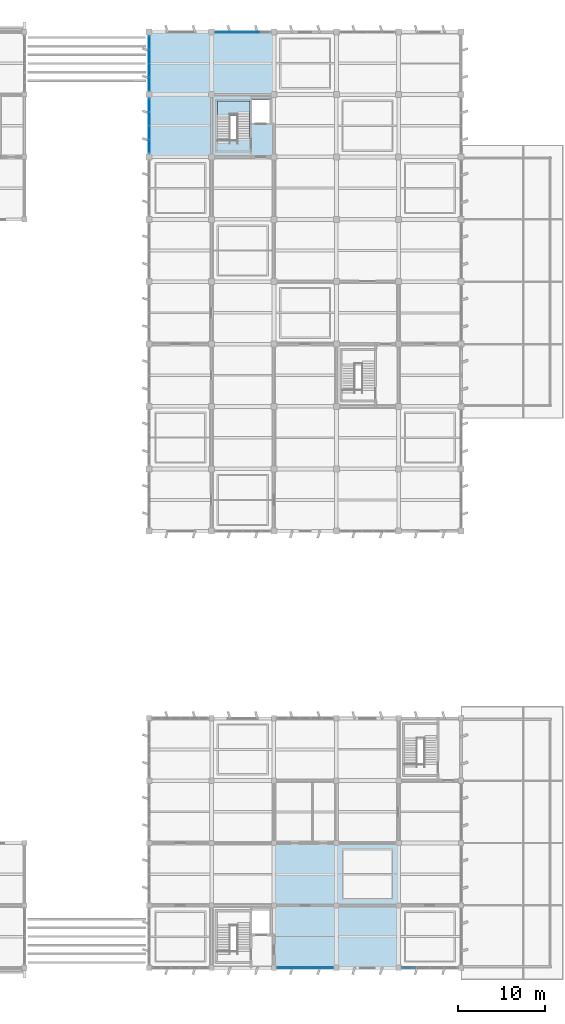
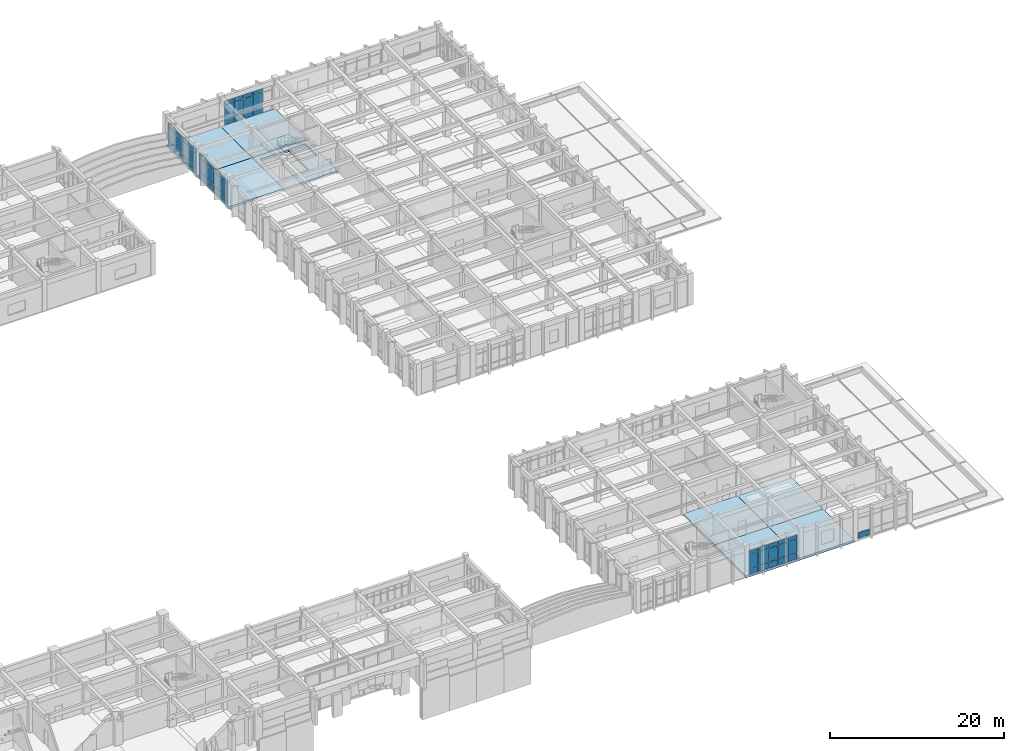
# One storey, part 49 of 81: 52 plates, 9 slabs, 6 elements without a shape of their own.
"""IFC4 building model written with IfcOpenShell, lengths in metres."""

from ifc_helpers import new_model, si_unit, direction, frame, origin, origin_2d, place, context, subcontext, project, spatial, polyline, rectangle, outline, extrude, material, layer, layer_set, type_object, element, aggregate, save


model = new_model("IFC4")

# Units and contexts
model_context = context("Model", 3, precision=1e-05, world=origin(), true_north=direction((0.0, 1.0)))
body_context = subcontext(model_context, "Body", "Model", "MODEL_VIEW")
ifc_project = project(units=[si_unit("LENGTHUNIT", "METRE"), si_unit("AREAUNIT", "SQUARE_METRE"), si_unit("VOLUMEUNIT", "CUBIC_METRE"), si_unit("PLANEANGLEUNIT", "RADIAN"), si_unit("MASSUNIT", "GRAM", prefix="KILO")], contexts=[model_context])

# Site, building, storey
site_placement = place(None, origin())
site = spatial("IfcSite", under=ifc_project, at=site_placement, CompositionType="ELEMENT")
building_placement = place(site_placement, origin())
building = spatial("IfcBuilding", under=site, at=building_placement, Name="Kavelor Marine Aquarium", CompositionType="ELEMENT")
storey_placement = place(building_placement, frame((0.0, 0.0, 4.679931640625)))
storey = spatial("IfcBuildingStorey", under=building, at=storey_placement, Name="L01", CompositionType="ELEMENT", Elevation=4.679931640625)

# Curtain wall, plates
ifc_material_1 = material(Name="Thermally Broken Aluminium and Low-E Glass", Category="aluminium")
ifc_layer_1 = layer(ifc_material_1, 0.251953125)
ifc_layer_set_1 = layer_set([ifc_layer_1], Name="CW-SYS14")
curtain_wall_type_1 = type_object("IfcCurtainWallType", Name="CW-SYS14", PredefinedType="USERDEFINED", material=ifc_layer_set_1)
curtain_wall_1_placement = place(storey_placement, origin())
curtain_wall_1 = element("IfcCurtainWall", 1, at=curtain_wall_1_placement, inside=storey, type_object=curtain_wall_type_1, Name="cw:y:L01:16_13", ObjectType="Curtain Wall", PredefinedType="USERDEFINED")
ifc_material_2 = material(Name="Solar-Control Double Low-E Glazing", Category="glass")
ifc_layer_2 = layer(ifc_material_2, 0.075927734375)
ifc_layer_set_2 = layer_set([ifc_layer_2], Name="CWP-26")
plate_type_1 = type_object("IfcPlateType", Name="CWP-26", PredefinedType="CURTAIN_PANEL", material=ifc_layer_set_2)
plate_1_placement = place(storey_placement, frame((118.39990234375, 102.387451171875, 0.06494140625), z_axis=(0.0, 0.0, 1.0), x_axis=(0.0, -1.0, 0.0)))
plate_1 = element("IfcPlate", 2, at=plate_1_placement, type_object=plate_type_1, Name="CW14 panel 1.1", PredefinedType="CURTAIN_PANEL", context=body_context, shape_type="SweptSolid", body=[
    extrude(rectangle(XDim=1.5048828125, YDim=0.075927734375, at=origin_2d()), origin(), (0.0, 0.0, 1.0), 0.802490234375),
])
plate_2_placement = place(storey_placement, frame((118.39990234375, 102.387451171875, 0.9326171875), z_axis=(0.0, 0.0, 1.0), x_axis=(0.0, -1.0, 0.0)))
plate_2 = element("IfcPlate", 3, at=plate_2_placement, type_object=plate_type_1, Name="CW14 panel 1.2", PredefinedType="CURTAIN_PANEL", context=body_context, shape_type="SweptSolid", body=[
    extrude(rectangle(XDim=1.5048828125, YDim=0.075927734375, at=origin_2d()), origin(), (0.0, 0.0, 1.0), 1.89501953125),
])
plate_3_placement = place(storey_placement, frame((118.39990234375, 102.387451171875, 2.892578125), z_axis=(0.0, 0.0, 1.0), x_axis=(0.0, -1.0, 0.0)))
plate_3 = element("IfcPlate", 4, at=plate_3_placement, type_object=plate_type_1, Name="CW14 panel 1.3", PredefinedType="CURTAIN_PANEL", context=body_context, shape_type="SweptSolid", body=[
    extrude(rectangle(XDim=1.5048828125, YDim=0.075927734375, at=origin_2d()), origin(), (0.0, 0.0, 1.0), 0.552490234375),
])
plate_4_placement = place(storey_placement, frame((118.39990234375, 100.80126953125, 0.06494140625), z_axis=(0.0, 0.0, 1.0), x_axis=(0.0, -1.0, 0.0)))
plate_4 = element("IfcPlate", 5, at=plate_4_placement, type_object=plate_type_1, Name="CW14 panel 2.1", PredefinedType="CURTAIN_PANEL", context=body_context, shape_type="SweptSolid", body=[
    extrude(rectangle(XDim=1.53759765625, YDim=0.075927734375, at=origin_2d()), origin(), (0.0, 0.0, 1.0), 0.802490234375),
])
plate_5_placement = place(storey_placement, frame((118.39990234375, 100.80126953125, 0.9326171875), z_axis=(0.0, 0.0, 1.0), x_axis=(0.0, -1.0, 0.0)))
plate_5 = element("IfcPlate", 6, at=plate_5_placement, type_object=plate_type_1, Name="CW14 panel 2.2", PredefinedType="CURTAIN_PANEL", context=body_context, shape_type="SweptSolid", body=[
    extrude(rectangle(XDim=1.53759765625, YDim=0.075927734375, at=origin_2d()), origin(), (0.0, 0.0, 1.0), 1.89501953125),
])
plate_6_placement = place(storey_placement, frame((118.39990234375, 100.80126953125, 2.892578125), z_axis=(0.0, 0.0, 1.0), x_axis=(0.0, -1.0, 0.0)))
plate_6 = element("IfcPlate", 7, at=plate_6_placement, type_object=plate_type_1, Name="CW14 panel 2.3", PredefinedType="CURTAIN_PANEL", context=body_context, shape_type="SweptSolid", body=[
    extrude(rectangle(XDim=1.53759765625, YDim=0.075927734375, at=origin_2d()), origin(), (0.0, 0.0, 1.0), 0.552490234375),
])
plate_7_placement = place(storey_placement, frame((118.39990234375, 99.19873046875, 0.06494140625), z_axis=(0.0, 0.0, 1.0), x_axis=(0.0, -1.0, 0.0)))
plate_7 = element("IfcPlate", 8, at=plate_7_placement, type_object=plate_type_1, Name="CW14 panel 3.1", PredefinedType="CURTAIN_PANEL", context=body_context, shape_type="SweptSolid", body=[
    extrude(rectangle(XDim=1.53759765625, YDim=0.075927734375, at=origin_2d()), origin(), (0.0, 0.0, 1.0), 0.802490234375),
])
plate_8_placement = place(storey_placement, frame((118.39990234375, 99.19873046875, 0.9326171875), z_axis=(0.0, 0.0, 1.0), x_axis=(0.0, -1.0, 0.0)))
plate_8 = element("IfcPlate", 9, at=plate_8_placement, type_object=plate_type_1, Name="CW14 panel 3.2", PredefinedType="CURTAIN_PANEL", context=body_context, shape_type="SweptSolid", body=[
    extrude(rectangle(XDim=1.53759765625, YDim=0.075927734375, at=origin_2d()), origin(), (0.0, 0.0, 1.0), 1.89501953125),
])
plate_9_placement = place(storey_placement, frame((118.39990234375, 99.19873046875, 2.892578125), z_axis=(0.0, 0.0, 1.0), x_axis=(0.0, -1.0, 0.0)))
plate_9 = element("IfcPlate", 10, at=plate_9_placement, type_object=plate_type_1, Name="CW14 panel 3.3", PredefinedType="CURTAIN_PANEL", context=body_context, shape_type="SweptSolid", body=[
    extrude(rectangle(XDim=1.53759765625, YDim=0.075927734375, at=origin_2d()), origin(), (0.0, 0.0, 1.0), 0.552490234375),
])
plate_10_placement = place(storey_placement, frame((118.39990234375, 97.612548828125, 0.06494140625), z_axis=(0.0, 0.0, 1.0), x_axis=(0.0, -1.0, 0.0)))
plate_10 = element("IfcPlate", 11, at=plate_10_placement, type_object=plate_type_1, Name="CW14 panel 4.1", PredefinedType="CURTAIN_PANEL", context=body_context, shape_type="SweptSolid", body=[
    extrude(rectangle(XDim=1.5048828125, YDim=0.075927734375, at=origin_2d()), origin(), (0.0, 0.0, 1.0), 0.802490234375),
])
plate_11_placement = place(storey_placement, frame((118.39990234375, 97.612548828125, 0.9326171875), z_axis=(0.0, 0.0, 1.0), x_axis=(0.0, -1.0, 0.0)))
plate_11 = element("IfcPlate", 12, at=plate_11_placement, type_object=plate_type_1, Name="CW14 panel 4.2", PredefinedType="CURTAIN_PANEL", context=body_context, shape_type="SweptSolid", body=[
    extrude(rectangle(XDim=1.5048828125, YDim=0.075927734375, at=origin_2d()), origin(), (0.0, 0.0, 1.0), 1.89501953125),
])
plate_12_placement = place(storey_placement, frame((118.39990234375, 97.612548828125, 2.892578125), z_axis=(0.0, 0.0, 1.0), x_axis=(0.0, -1.0, 0.0)))
plate_12 = element("IfcPlate", 13, at=plate_12_placement, type_object=plate_type_1, Name="CW14 panel 4.3", PredefinedType="CURTAIN_PANEL", context=body_context, shape_type="SweptSolid", body=[
    extrude(rectangle(XDim=1.5048828125, YDim=0.075927734375, at=origin_2d()), origin(), (0.0, 0.0, 1.0), 0.552490234375),
])
aggregate(curtain_wall_1, [plate_1, plate_2, plate_3, plate_4, plate_5, plate_6, plate_7, plate_8, plate_9, plate_10, plate_11, plate_12])

ifc_material_3 = material(Name="Thermally Broken Aluminium and Low-E Glass", Category="aluminium")
ifc_layer_3 = layer(ifc_material_3, 0.260009765625)
ifc_layer_set_3 = layer_set([ifc_layer_3], Name="CW-SYS15")
curtain_wall_type_2 = type_object("IfcCurtainWallType", Name="CW-SYS15", PredefinedType="USERDEFINED", material=ifc_layer_set_3)
curtain_wall_2_placement = place(storey_placement, origin())
curtain_wall_2 = element("IfcCurtainWall", 14, at=curtain_wall_2_placement, inside=storey, type_object=curtain_wall_type_2, Name="cw:y:L01:16_14", ObjectType="Curtain Wall", PredefinedType="USERDEFINED")
ifc_material_4 = material(Name="Solar-Control Double Low-E Glazing", Category="glass")
ifc_layer_4 = layer(ifc_material_4, 0.077880859375)
ifc_layer_set_4 = layer_set([ifc_layer_4], Name="CWP-27")
plate_type_2 = type_object("IfcPlateType", Name="CWP-27", PredefinedType="CURTAIN_PANEL", material=ifc_layer_set_4)
plate_13_placement = place(storey_placement, frame((118.39990234375, 109.5888671875, 0.06494140625), z_axis=(0.0, 0.0, 1.0), x_axis=(0.0, -1.0, 0.0)))
plate_13 = element("IfcPlate", 15, at=plate_13_placement, type_object=plate_type_2, Name="CW15 panel 1.1", PredefinedType="CURTAIN_PANEL", context=body_context, shape_type="SweptSolid", body=[
    extrude(rectangle(XDim=1.512451171875, YDim=0.077880859375, at=origin_2d()), origin(), (0.0, 0.0, 1.0), 0.802490234375),
])
plate_14_placement = place(storey_placement, frame((118.39990234375, 109.5888671875, 0.9326171875), z_axis=(0.0, 0.0, 1.0), x_axis=(0.0, -1.0, 0.0)))
plate_14 = element("IfcPlate", 16, at=plate_14_placement, type_object=plate_type_2, Name="CW15 panel 1.2", PredefinedType="CURTAIN_PANEL", context=body_context, shape_type="SweptSolid", body=[
    extrude(rectangle(XDim=1.512451171875, YDim=0.077880859375, at=origin_2d()), origin(), (0.0, 0.0, 1.0), 1.875),
])
plate_15_placement = place(storey_placement, frame((118.39990234375, 109.5888671875, 2.87255859375), z_axis=(0.0, 0.0, 1.0), x_axis=(0.0, -1.0, 0.0)))
plate_15 = element("IfcPlate", 17, at=plate_15_placement, type_object=plate_type_2, Name="CW15 panel 1.3", PredefinedType="CURTAIN_PANEL", context=body_context, shape_type="SweptSolid", body=[
    extrude(rectangle(XDim=1.512451171875, YDim=0.077880859375, at=origin_2d()), origin(), (0.0, 0.0, 1.0), 0.552490234375),
])
plate_16_placement = place(storey_placement, frame((118.39990234375, 108.001220703125, 0.06494140625), z_axis=(0.0, 0.0, 1.0), x_axis=(0.0, -1.0, 0.0)))
plate_16 = element("IfcPlate", 18, at=plate_16_placement, type_object=plate_type_2, Name="CW15 panel 2.1", PredefinedType="CURTAIN_PANEL", context=body_context, shape_type="SweptSolid", body=[
    extrude(rectangle(XDim=1.54248046875, YDim=0.077880859375, at=origin_2d()), origin(), (0.0, 0.0, 1.0), 0.802490234375),
])
plate_17_placement = place(storey_placement, frame((118.39990234375, 108.001220703125, 0.9326171875), z_axis=(0.0, 0.0, 1.0), x_axis=(0.0, -1.0, 0.0)))
plate_17 = element("IfcPlate", 19, at=plate_17_placement, type_object=plate_type_2, Name="CW15 panel 2.2", PredefinedType="CURTAIN_PANEL", context=body_context, shape_type="SweptSolid", body=[
    extrude(rectangle(XDim=1.54248046875, YDim=0.077880859375, at=origin_2d()), origin(), (0.0, 0.0, 1.0), 1.875),
])
plate_18_placement = place(storey_placement, frame((118.39990234375, 108.001220703125, 2.87255859375), z_axis=(0.0, 0.0, 1.0), x_axis=(0.0, -1.0, 0.0)))
plate_18 = element("IfcPlate", 20, at=plate_18_placement, type_object=plate_type_2, Name="CW15 panel 2.3", PredefinedType="CURTAIN_PANEL", context=body_context, shape_type="SweptSolid", body=[
    extrude(rectangle(XDim=1.54248046875, YDim=0.077880859375, at=origin_2d()), origin(), (0.0, 0.0, 1.0), 0.552490234375),
])
plate_19_placement = place(storey_placement, frame((118.39990234375, 106.398681640625, 0.06494140625), z_axis=(0.0, 0.0, 1.0), x_axis=(0.0, -1.0, 0.0)))
plate_19 = element("IfcPlate", 21, at=plate_19_placement, type_object=plate_type_2, Name="CW15 panel 3.1", PredefinedType="CURTAIN_PANEL", context=body_context, shape_type="SweptSolid", body=[
    extrude(rectangle(XDim=1.54248046875, YDim=0.077880859375, at=origin_2d()), origin(), (0.0, 0.0, 1.0), 0.802490234375),
])
plate_20_placement = place(storey_placement, frame((118.39990234375, 106.398681640625, 0.9326171875), z_axis=(0.0, 0.0, 1.0), x_axis=(0.0, -1.0, 0.0)))
plate_20 = element("IfcPlate", 22, at=plate_20_placement, type_object=plate_type_2, Name="CW15 panel 3.2", PredefinedType="CURTAIN_PANEL", context=body_context, shape_type="SweptSolid", body=[
    extrude(rectangle(XDim=1.54248046875, YDim=0.077880859375, at=origin_2d()), origin(), (0.0, 0.0, 1.0), 1.875),
])
plate_21_placement = place(storey_placement, frame((118.39990234375, 106.398681640625, 2.87255859375), z_axis=(0.0, 0.0, 1.0), x_axis=(0.0, -1.0, 0.0)))
plate_21 = element("IfcPlate", 23, at=plate_21_placement, type_object=plate_type_2, Name="CW15 panel 3.3", PredefinedType="CURTAIN_PANEL", context=body_context, shape_type="SweptSolid", body=[
    extrude(rectangle(XDim=1.54248046875, YDim=0.077880859375, at=origin_2d()), origin(), (0.0, 0.0, 1.0), 0.552490234375),
])
plate_22_placement = place(storey_placement, frame((118.39990234375, 104.811279296875, 0.06494140625), z_axis=(0.0, 0.0, 1.0), x_axis=(0.0, -1.0, 0.0)))
plate_22 = element("IfcPlate", 24, at=plate_22_placement, type_object=plate_type_2, Name="CW15 panel 4.1", PredefinedType="CURTAIN_PANEL", context=body_context, shape_type="SweptSolid", body=[
    extrude(rectangle(XDim=1.512451171875, YDim=0.077880859375, at=origin_2d()), origin(), (0.0, 0.0, 1.0), 0.802490234375),
])
plate_23_placement = place(storey_placement, frame((118.39990234375, 104.811279296875, 0.9326171875), z_axis=(0.0, 0.0, 1.0), x_axis=(0.0, -1.0, 0.0)))
plate_23 = element("IfcPlate", 25, at=plate_23_placement, type_object=plate_type_2, Name="CW15 panel 4.2", PredefinedType="CURTAIN_PANEL", context=body_context, shape_type="SweptSolid", body=[
    extrude(rectangle(XDim=1.512451171875, YDim=0.077880859375, at=origin_2d()), origin(), (0.0, 0.0, 1.0), 1.875),
])
plate_24_placement = place(storey_placement, frame((118.39990234375, 104.811279296875, 2.87255859375), z_axis=(0.0, 0.0, 1.0), x_axis=(0.0, -1.0, 0.0)))
plate_24 = element("IfcPlate", 26, at=plate_24_placement, type_object=plate_type_2, Name="CW15 panel 4.3", PredefinedType="CURTAIN_PANEL", context=body_context, shape_type="SweptSolid", body=[
    extrude(rectangle(XDim=1.512451171875, YDim=0.077880859375, at=origin_2d()), origin(), (0.0, 0.0, 1.0), 0.552490234375),
])
aggregate(curtain_wall_2, [plate_13, plate_14, plate_15, plate_16, plate_17, plate_18, plate_19, plate_20, plate_21, plate_22, plate_23, plate_24])

ifc_material_5 = material(Name="Thermally Broken Aluminium and Low-E Glass", Category="aluminium")
ifc_layer_5 = layer(ifc_material_5, 0.18798828125)
ifc_layer_set_5 = layer_set([ifc_layer_5], Name="CW-SYS6")
curtain_wall_type_3 = type_object("IfcCurtainWallType", Name="CW-SYS6", PredefinedType="USERDEFINED", material=ifc_layer_set_5)
curtain_wall_3_placement = place(storey_placement, origin())
curtain_wall_3 = element("IfcCurtainWall", 27, at=curtain_wall_3_placement, inside=storey, type_object=curtain_wall_type_3, Name="cw:x:L01:17_15", ObjectType="Curtain Wall", PredefinedType="USERDEFINED")
ifc_material_6 = material(Name="Solar-Control Double Low-E Glazing", Category="glass")
ifc_layer_6 = layer(ifc_material_6, 0.083984375)
ifc_layer_set_6 = layer_set([ifc_layer_6], Name="CWP-30")
plate_type_3 = type_object("IfcPlateType", Name="CWP-30", PredefinedType="CURTAIN_PANEL", material=ifc_layer_set_6)
plate_25_placement = place(storey_placement, frame((126.65087890625, 110.800048828125, 0.074951171875), z_axis=(0.0, 0.0, 1.0), x_axis=(1.0, 0.0, 0.0)))
plate_25 = element("IfcPlate", 28, at=plate_25_placement, type_object=plate_type_3, Name="CW06 panel 1.1", PredefinedType="CURTAIN_PANEL", context=body_context, shape_type="SweptSolid", body=[
    extrude(rectangle(XDim=1.19189453125, YDim=0.083984375, at=origin_2d()), origin(), (0.0, 0.0, 1.0), 0.78759765625),
])
plate_26_placement = place(storey_placement, frame((126.65087890625, 110.800048828125, 0.9375), z_axis=(0.0, 0.0, 1.0), x_axis=(1.0, 0.0, 0.0)))
plate_26 = element("IfcPlate", 29, at=plate_26_placement, type_object=plate_type_3, Name="CW06 panel 1.2", PredefinedType="CURTAIN_PANEL", context=body_context, shape_type="SweptSolid", body=[
    extrude(rectangle(XDim=1.19189453125, YDim=0.083984375, at=origin_2d()), origin(), (0.0, 0.0, 1.0), 1.885009765625),
])
plate_27_placement = place(storey_placement, frame((126.65087890625, 110.800048828125, 2.8974609375), z_axis=(0.0, 0.0, 1.0), x_axis=(1.0, 0.0, 0.0)))
plate_27 = element("IfcPlate", 30, at=plate_27_placement, type_object=plate_type_3, Name="CW06 panel 1.3", PredefinedType="CURTAIN_PANEL", context=body_context, shape_type="SweptSolid", body=[
    extrude(rectangle(XDim=1.19189453125, YDim=0.083984375, at=origin_2d()), origin(), (0.0, 0.0, 1.0), 0.53759765625),
])
plate_28_placement = place(storey_placement, frame((127.91796875, 110.800048828125, 0.074951171875), z_axis=(0.0, 0.0, 1.0), x_axis=(1.0, 0.0, 0.0)))
plate_28 = element("IfcPlate", 31, at=plate_28_placement, type_object=plate_type_3, Name="CW06 panel 2.1", PredefinedType="CURTAIN_PANEL", context=body_context, shape_type="SweptSolid", body=[
    extrude(rectangle(XDim=1.221923828125, YDim=0.083984375, at=origin_2d()), origin(), (0.0, 0.0, 1.0), 0.78759765625),
])
plate_29_placement = place(storey_placement, frame((127.91796875, 110.800048828125, 0.9375), z_axis=(0.0, 0.0, 1.0), x_axis=(1.0, 0.0, 0.0)))
plate_29 = element("IfcPlate", 32, at=plate_29_placement, type_object=plate_type_3, Name="CW06 panel 2.2", PredefinedType="CURTAIN_PANEL", context=body_context, shape_type="SweptSolid", body=[
    extrude(rectangle(XDim=1.221923828125, YDim=0.083984375, at=origin_2d()), origin(), (0.0, 0.0, 1.0), 1.885009765625),
])
plate_30_placement = place(storey_placement, frame((127.91796875, 110.800048828125, 2.8974609375), z_axis=(0.0, 0.0, 1.0), x_axis=(1.0, 0.0, 0.0)))
plate_30 = element("IfcPlate", 33, at=plate_30_placement, type_object=plate_type_3, Name="CW06 panel 2.3", PredefinedType="CURTAIN_PANEL", context=body_context, shape_type="SweptSolid", body=[
    extrude(rectangle(XDim=1.221923828125, YDim=0.083984375, at=origin_2d()), origin(), (0.0, 0.0, 1.0), 0.53759765625),
])
plate_31_placement = place(storey_placement, frame((129.199951171875, 110.800048828125, 0.074951171875), z_axis=(0.0, 0.0, 1.0), x_axis=(1.0, 0.0, 0.0)))
plate_31 = element("IfcPlate", 34, at=plate_31_placement, type_object=plate_type_3, Name="CW06 panel 3.1", PredefinedType="CURTAIN_PANEL", context=body_context, shape_type="SweptSolid", body=[
    extrude(rectangle(XDim=1.221923828125, YDim=0.083984375, at=origin_2d()), origin(), (0.0, 0.0, 1.0), 0.78759765625),
])
plate_32_placement = place(storey_placement, frame((129.199951171875, 110.800048828125, 0.9375), z_axis=(0.0, 0.0, 1.0), x_axis=(1.0, 0.0, 0.0)))
plate_32 = element("IfcPlate", 35, at=plate_32_placement, type_object=plate_type_3, Name="CW06 panel 3.2", PredefinedType="CURTAIN_PANEL", context=body_context, shape_type="SweptSolid", body=[
    extrude(rectangle(XDim=1.221923828125, YDim=0.083984375, at=origin_2d()), origin(), (0.0, 0.0, 1.0), 1.885009765625),
])
plate_33_placement = place(storey_placement, frame((129.199951171875, 110.800048828125, 2.8974609375), z_axis=(0.0, 0.0, 1.0), x_axis=(1.0, 0.0, 0.0)))
plate_33 = element("IfcPlate", 36, at=plate_33_placement, type_object=plate_type_3, Name="CW06 panel 3.3", PredefinedType="CURTAIN_PANEL", context=body_context, shape_type="SweptSolid", body=[
    extrude(rectangle(XDim=1.221923828125, YDim=0.083984375, at=origin_2d()), origin(), (0.0, 0.0, 1.0), 0.53759765625),
])
plate_34_placement = place(storey_placement, frame((130.48193359375, 110.800048828125, 0.074951171875), z_axis=(0.0, 0.0, 1.0), x_axis=(1.0, 0.0, 0.0)))
plate_34 = element("IfcPlate", 37, at=plate_34_placement, type_object=plate_type_3, Name="CW06 panel 4.1", PredefinedType="CURTAIN_PANEL", context=body_context, shape_type="SweptSolid", body=[
    extrude(rectangle(XDim=1.221923828125, YDim=0.083984375, at=origin_2d()), origin(), (0.0, 0.0, 1.0), 0.78759765625),
])
plate_35_placement = place(storey_placement, frame((130.48193359375, 110.800048828125, 0.9375), z_axis=(0.0, 0.0, 1.0), x_axis=(1.0, 0.0, 0.0)))
plate_35 = element("IfcPlate", 38, at=plate_35_placement, type_object=plate_type_3, Name="CW06 panel 4.2", PredefinedType="CURTAIN_PANEL", context=body_context, shape_type="SweptSolid", body=[
    extrude(rectangle(XDim=1.221923828125, YDim=0.083984375, at=origin_2d()), origin(), (0.0, 0.0, 1.0), 1.885009765625),
])
plate_36_placement = place(storey_placement, frame((130.48193359375, 110.800048828125, 2.8974609375), z_axis=(0.0, 0.0, 1.0), x_axis=(1.0, 0.0, 0.0)))
plate_36 = element("IfcPlate", 39, at=plate_36_placement, type_object=plate_type_3, Name="CW06 panel 4.3", PredefinedType="CURTAIN_PANEL", context=body_context, shape_type="SweptSolid", body=[
    extrude(rectangle(XDim=1.221923828125, YDim=0.083984375, at=origin_2d()), origin(), (0.0, 0.0, 1.0), 0.53759765625),
])
aggregate(curtain_wall_3, [plate_25, plate_26, plate_27, plate_28, plate_29, plate_30, plate_31, plate_32, plate_33, plate_34, plate_35, plate_36])

ifc_material_7 = material(Name="Thermally Broken Aluminium and Low-E Glass", Category="aluminium")
ifc_layer_7 = layer(ifc_material_7, 0.196044921875)
ifc_layer_set_7 = layer_set([ifc_layer_7], Name="CW-SYS7")
curtain_wall_type_4 = type_object("IfcCurtainWallType", Name="CW-SYS7", PredefinedType="USERDEFINED", material=ifc_layer_set_7)
curtain_wall_4_placement = place(storey_placement, origin())
curtain_wall_4 = element("IfcCurtainWall", 40, at=curtain_wall_4_placement, inside=storey, type_object=curtain_wall_type_4, Name="cw:x:L01:18_00", ObjectType="Curtain Wall", PredefinedType="USERDEFINED")
ifc_material_8 = material(Name="Laminated Cast Acrylic Viewing Glazing", Category="glass")
ifc_layer_8 = layer(ifc_material_8, 0.0859375)
ifc_layer_set_8 = layer_set([ifc_layer_8], Name="CWP-31")
plate_type_4 = type_object("IfcPlateType", Name="CWP-31", PredefinedType="CURTAIN_PANEL", material=ifc_layer_set_8)
plate_37_placement = place(storey_placement, frame((138.9853515625, 2.800048828125, 0.074951171875), z_axis=(0.0, 0.0, 1.0), x_axis=(-1.0, 0.0, 0.0)))
plate_37 = element("IfcPlate", 41, at=plate_37_placement, type_object=plate_type_4, Name="CW07 panel 1.1", PredefinedType="CURTAIN_PANEL", context=body_context, shape_type="SweptSolid", body=[
    extrude(rectangle(XDim=1.189453125, YDim=0.0859375, at=origin_2d()), origin(), (0.0, 0.0, 1.0), 0.78759765625),
])
plate_38_placement = place(storey_placement, frame((138.9853515625, 2.800048828125, 0.9375), z_axis=(0.0, 0.0, 1.0), x_axis=(-1.0, 0.0, 0.0)))
plate_38 = element("IfcPlate", 42, at=plate_38_placement, type_object=plate_type_4, Name="CW07 panel 1.2", PredefinedType="CURTAIN_PANEL", context=body_context, shape_type="SweptSolid", body=[
    extrude(rectangle(XDim=1.189453125, YDim=0.0859375, at=origin_2d()), origin(), (0.0, 0.0, 1.0), 1.864990234375),
])
plate_39_placement = place(storey_placement, frame((138.9853515625, 2.800048828125, 2.87744140625), z_axis=(0.0, 0.0, 1.0), x_axis=(-1.0, 0.0, 0.0)))
plate_39 = element("IfcPlate", 43, at=plate_39_placement, type_object=plate_type_4, Name="CW07 panel 1.3", PredefinedType="CURTAIN_PANEL", context=body_context, shape_type="SweptSolid", body=[
    extrude(rectangle(XDim=1.189453125, YDim=0.0859375, at=origin_2d()), origin(), (0.0, 0.0, 1.0), 0.53759765625),
])
plate_40_placement = place(storey_placement, frame((137.701904296875, 2.800048828125, 0.074951171875), z_axis=(0.0, 0.0, 1.0), x_axis=(-1.0, 0.0, 0.0)))
plate_40 = element("IfcPlate", 44, at=plate_40_placement, type_object=plate_type_4, Name="CW07 panel 2.1", PredefinedType="CURTAIN_PANEL", context=body_context, shape_type="SweptSolid", body=[
    extrude(rectangle(XDim=1.22705078125, YDim=0.0859375, at=origin_2d()), origin(), (0.0, 0.0, 1.0), 0.78759765625),
])
plate_41_placement = place(storey_placement, frame((137.701904296875, 2.800048828125, 0.9375), z_axis=(0.0, 0.0, 1.0), x_axis=(-1.0, 0.0, 0.0)))
plate_41 = element("IfcPlate", 45, at=plate_41_placement, type_object=plate_type_4, Name="CW07 panel 2.2", PredefinedType="CURTAIN_PANEL", context=body_context, shape_type="SweptSolid", body=[
    extrude(rectangle(XDim=1.22705078125, YDim=0.0859375, at=origin_2d()), origin(), (0.0, 0.0, 1.0), 1.864990234375),
])
plate_42_placement = place(storey_placement, frame((137.701904296875, 2.800048828125, 2.87744140625), z_axis=(0.0, 0.0, 1.0), x_axis=(-1.0, 0.0, 0.0)))
plate_42 = element("IfcPlate", 46, at=plate_42_placement, type_object=plate_type_4, Name="CW07 panel 2.3", PredefinedType="CURTAIN_PANEL", context=body_context, shape_type="SweptSolid", body=[
    extrude(rectangle(XDim=1.22705078125, YDim=0.0859375, at=origin_2d()), origin(), (0.0, 0.0, 1.0), 0.53759765625),
])
plate_43_placement = place(storey_placement, frame((136.39990234375, 2.800048828125, 0.074951171875), z_axis=(0.0, 0.0, 1.0), x_axis=(-1.0, 0.0, 0.0)))
plate_43 = element("IfcPlate", 47, at=plate_43_placement, type_object=plate_type_4, Name="CW07 panel 3.1", PredefinedType="CURTAIN_PANEL", context=body_context, shape_type="SweptSolid", body=[
    extrude(rectangle(XDim=1.22705078125, YDim=0.0859375, at=origin_2d()), origin(), (0.0, 0.0, 1.0), 0.78759765625),
])
plate_44_placement = place(storey_placement, frame((136.39990234375, 2.800048828125, 0.9375), z_axis=(0.0, 0.0, 1.0), x_axis=(-1.0, 0.0, 0.0)))
plate_44 = element("IfcPlate", 48, at=plate_44_placement, type_object=plate_type_4, Name="CW07 panel 3.2", PredefinedType="CURTAIN_PANEL", context=body_context, shape_type="SweptSolid", body=[
    extrude(rectangle(XDim=1.22705078125, YDim=0.0859375, at=origin_2d()), origin(), (0.0, 0.0, 1.0), 1.864990234375),
])
plate_45_placement = place(storey_placement, frame((136.39990234375, 2.800048828125, 2.87744140625), z_axis=(0.0, 0.0, 1.0), x_axis=(-1.0, 0.0, 0.0)))
plate_45 = element("IfcPlate", 49, at=plate_45_placement, type_object=plate_type_4, Name="CW07 panel 3.3", PredefinedType="CURTAIN_PANEL", context=body_context, shape_type="SweptSolid", body=[
    extrude(rectangle(XDim=1.22705078125, YDim=0.0859375, at=origin_2d()), origin(), (0.0, 0.0, 1.0), 0.53759765625),
])
plate_46_placement = place(storey_placement, frame((135.097900390625, 2.800048828125, 0.074951171875), z_axis=(0.0, 0.0, 1.0), x_axis=(-1.0, 0.0, 0.0)))
plate_46 = element("IfcPlate", 50, at=plate_46_placement, type_object=plate_type_4, Name="CW07 panel 4.1", PredefinedType="CURTAIN_PANEL", context=body_context, shape_type="SweptSolid", body=[
    extrude(rectangle(XDim=1.22705078125, YDim=0.0859375, at=origin_2d()), origin(), (0.0, 0.0, 1.0), 0.78759765625),
])
plate_47_placement = place(storey_placement, frame((135.097900390625, 2.800048828125, 0.9375), z_axis=(0.0, 0.0, 1.0), x_axis=(-1.0, 0.0, 0.0)))
plate_47 = element("IfcPlate", 51, at=plate_47_placement, type_object=plate_type_4, Name="CW07 panel 4.2", PredefinedType="CURTAIN_PANEL", context=body_context, shape_type="SweptSolid", body=[
    extrude(rectangle(XDim=1.22705078125, YDim=0.0859375, at=origin_2d()), origin(), (0.0, 0.0, 1.0), 1.864990234375),
])
plate_48_placement = place(storey_placement, frame((135.097900390625, 2.800048828125, 2.87744140625), z_axis=(0.0, 0.0, 1.0), x_axis=(-1.0, 0.0, 0.0)))
plate_48 = element("IfcPlate", 52, at=plate_48_placement, type_object=plate_type_4, Name="CW07 panel 4.3", PredefinedType="CURTAIN_PANEL", context=body_context, shape_type="SweptSolid", body=[
    extrude(rectangle(XDim=1.22705078125, YDim=0.0859375, at=origin_2d()), origin(), (0.0, 0.0, 1.0), 0.53759765625),
])
plate_49_placement = place(storey_placement, frame((133.814697265625, 2.800048828125, 0.074951171875), z_axis=(0.0, 0.0, 1.0), x_axis=(-1.0, 0.0, 0.0)))
plate_49 = element("IfcPlate", 53, at=plate_49_placement, type_object=plate_type_4, Name="CW07 panel 5.1", PredefinedType="CURTAIN_PANEL", context=body_context, shape_type="SweptSolid", body=[
    extrude(rectangle(XDim=1.189453125, YDim=0.0859375, at=origin_2d()), origin(), (0.0, 0.0, 1.0), 0.78759765625),
])
plate_50_placement = place(storey_placement, frame((133.814697265625, 2.800048828125, 0.9375), z_axis=(0.0, 0.0, 1.0), x_axis=(-1.0, 0.0, 0.0)))
plate_50 = element("IfcPlate", 54, at=plate_50_placement, type_object=plate_type_4, Name="CW07 panel 5.2", PredefinedType="CURTAIN_PANEL", context=body_context, shape_type="SweptSolid", body=[
    extrude(rectangle(XDim=1.189453125, YDim=0.0859375, at=origin_2d()), origin(), (0.0, 0.0, 1.0), 1.864990234375),
])
plate_51_placement = place(storey_placement, frame((133.814697265625, 2.800048828125, 2.87744140625), z_axis=(0.0, 0.0, 1.0), x_axis=(-1.0, 0.0, 0.0)))
plate_51 = element("IfcPlate", 55, at=plate_51_placement, type_object=plate_type_4, Name="CW07 panel 5.3", PredefinedType="CURTAIN_PANEL", context=body_context, shape_type="SweptSolid", body=[
    extrude(rectangle(XDim=1.189453125, YDim=0.0859375, at=origin_2d()), origin(), (0.0, 0.0, 1.0), 0.53759765625),
])
aggregate(curtain_wall_4, [plate_37, plate_38, plate_39, plate_40, plate_41, plate_42, plate_43, plate_44, plate_45, plate_46, plate_47, plate_48, plate_49, plate_50, plate_51])

# Curtain wall, plate
ifc_material_9 = material(Name="Thermally Broken Aluminium and Low-E Glass", Category="aluminium")
ifc_layer_9 = layer(ifc_material_9, 0.22802734375)
ifc_layer_set_9 = layer_set([ifc_layer_9], Name="CW-SYS11")
curtain_wall_type_5 = type_object("IfcCurtainWallType", Name="CW-SYS11", PredefinedType="USERDEFINED", material=ifc_layer_set_9)
curtain_wall_5_placement = place(storey_placement, origin())
curtain_wall_5 = element("IfcCurtainWall", 56, at=curtain_wall_5_placement, inside=storey, type_object=curtain_wall_type_5, Name="cw:x:L01:20_00", ObjectType="Curtain Wall", PredefinedType="USERDEFINED")
ifc_material_10 = material(Name="Laminated Cast Acrylic Viewing Glazing", Category="glass")
ifc_layer_10 = layer(ifc_material_10, 0.093994140625)
ifc_layer_set_10 = layer_set([ifc_layer_10], Name="CWP-35")
plate_type_5 = type_object("IfcPlateType", Name="CWP-35", PredefinedType="CURTAIN_PANEL", material=ifc_layer_set_10)
plate_52_placement = place(storey_placement, frame((148.375, 2.800048828125, 0.06005859375), z_axis=(0.0, 0.0, 1.0), x_axis=(-1.0, 0.0, 0.0)))
plate_52 = element("IfcPlate", 57, at=plate_52_placement, type_object=plate_type_5, Name="CW11 panel 4.1", PredefinedType="CURTAIN_PANEL", context=body_context, shape_type="SweptSolid", body=[
    extrude(rectangle(XDim=1.530029296875, YDim=0.093994140625, at=origin_2d()), origin(), (0.0, 0.0, 1.0), 0.81005859375),
])
aggregate(curtain_wall_5, [plate_52])

# Stair, slab
ifc_material_11 = material(Name="Concrete C40/50", Category="concrete")
stair_type = type_object("IfcStairType", Name="ST-T2", PredefinedType="HALF_TURN_STAIR", material=ifc_material_11)
stair_placement = place(storey_placement, origin())
stair = element("IfcStair", 58, at=stair_placement, inside=storey, type_object=stair_type, Name="Exit Stair ST10 (L01)", PredefinedType="HALF_TURN_STAIR")
ifc_material_12 = material(Name="Concrete C40/50", Category="concrete")
ifc_layer_11 = layer(ifc_material_12, 0.199951171875)
ifc_layer_set_11 = layer_set([ifc_layer_11], Name="LND-T2")
slab_type_1 = type_object("IfcSlabType", Name="LND-T2", PredefinedType="LANDING", material=ifc_layer_set_11)
slab_1_placement = place(storey_placement, frame((0.0, 0.0, 2.050048828125)))
slab_1 = element("IfcSlab", 59, at=slab_1_placement, type_object=slab_type_1, Name="ST10 landing 1", PredefinedType="LANDING", context=body_context, shape_type="SweptSolid", body=[
    extrude(outline(polyline([(126.260009765625, 101.139892578125), (130.02001953125, 101.139892578125), (130.02001953125, 102.860107421875), (126.260009765625, 102.860107421875), (126.260009765625, 101.139892578125)])), origin(), (0.0, 0.0, 1.0), 0.199951171875),
])
aggregate(stair, [slab_1])

# Slabs
ifc_material_13 = material(Name="Concrete C40/50", Category="concrete")
ifc_layer_12 = layer(ifc_material_13, 0.300048828125)
ifc_layer_set_12 = layer_set([ifc_layer_12], Name="SL-FL1")
slab_type_2 = type_object("IfcSlabType", Name="SL-FL1", PredefinedType="FLOOR", material=ifc_layer_set_12)
slab_2_placement = place(storey_placement, frame((0.0, 0.0, -0.300048828125)))
element("IfcSlab", 60, at=slab_2_placement, inside=storey, type_object=slab_type_2, Name="slab:L01:16_13", PredefinedType="FLOOR", context=body_context, shape_type="SweptSolid", body=[
    extrude(outline(polyline([(118.39990234375, 96.39990234375), (125.60009765625, 96.39990234375), (125.60009765625, 103.60009765625), (118.39990234375, 103.60009765625), (118.39990234375, 96.39990234375)])), origin(), (0.0, 0.0, 1.0), 0.300048828125),
])
slab_3_placement = place(storey_placement, frame((0.0, 0.0, -0.300048828125)))
element("IfcSlab", 61, at=slab_3_placement, inside=storey, type_object=slab_type_2, Name="slab:L01:16_14", PredefinedType="FLOOR", context=body_context, shape_type="SweptSolid", body=[
    extrude(outline(polyline([(118.39990234375, 103.60009765625), (125.60009765625, 103.60009765625), (125.60009765625, 110.800048828125), (118.39990234375, 110.800048828125), (118.39990234375, 103.60009765625)])), origin(), (0.0, 0.0, 1.0), 0.300048828125),
])
slab_4_placement = place(storey_placement, frame((0.0, 0.0, -0.300048828125)))
element("IfcSlab", 62, at=slab_4_placement, inside=storey, type_object=slab_type_2, Name="slab:L01:17_13", PredefinedType="FLOOR", context=body_context, shape_type="SweptSolid", body=[
    extrude(outline(polyline([(125.60009765625, 96.39990234375), (132.800048828125, 96.39990234375), (132.800048828125, 103.60009765625), (125.60009765625, 103.60009765625), (125.60009765625, 96.39990234375)]), holes=[polyline([(126.280029296875, 98.282958984375), (130.0, 98.282958984375), (130.0, 102.8701171875), (126.280029296875, 102.8701171875), (126.280029296875, 98.282958984375)]), polyline([(130.260009765625, 100.25), (132.300048828125, 100.25), (132.300048828125, 102.949951171875), (130.199951171875, 102.949951171875), (130.260009765625, 100.25)])]), origin(), (0.0, 0.0, 1.0), 0.300048828125),
])
slab_5_placement = place(storey_placement, frame((0.0, 0.0, -0.300048828125)))
element("IfcSlab", 63, at=slab_5_placement, inside=storey, type_object=slab_type_2, Name="slab:L01:17_14", PredefinedType="FLOOR", context=body_context, shape_type="SweptSolid", body=[
    extrude(outline(polyline([(125.60009765625, 103.60009765625), (132.800048828125, 103.60009765625), (132.800048828125, 110.800048828125), (125.60009765625, 110.800048828125), (125.60009765625, 103.60009765625)])), origin(), (0.0, 0.0, 1.0), 0.300048828125),
])
slab_6_placement = place(storey_placement, frame((0.0, 0.0, -0.300048828125)))
element("IfcSlab", 64, at=slab_6_placement, inside=storey, type_object=slab_type_2, Name="slab:L01:18_00", PredefinedType="FLOOR", context=body_context, shape_type="SweptSolid", body=[
    extrude(outline(polyline([(132.800048828125, 2.800048828125), (140.0, 2.800048828125), (140.0, 10.0), (132.800048828125, 10.0), (132.800048828125, 2.800048828125)])), origin(), (0.0, 0.0, 1.0), 0.300048828125),
])
slab_7_placement = place(storey_placement, frame((0.0, 0.0, -0.300048828125)))
element("IfcSlab", 65, at=slab_7_placement, inside=storey, type_object=slab_type_2, Name="slab:L01:18_01", PredefinedType="FLOOR", context=body_context, shape_type="SweptSolid", body=[
    extrude(outline(polyline([(132.800048828125, 10.0), (140.0, 10.0), (140.0, 17.199951171875), (132.800048828125, 17.199951171875), (132.800048828125, 10.0)])), origin(), (0.0, 0.0, 1.0), 0.300048828125),
])
slab_8_placement = place(storey_placement, frame((0.0, 0.0, -0.300048828125)))
element("IfcSlab", 66, at=slab_8_placement, inside=storey, type_object=slab_type_2, Name="slab:L01:19_00", PredefinedType="FLOOR", context=body_context, shape_type="SweptSolid", body=[
    extrude(outline(polyline([(140.0, 2.800048828125), (147.199951171875, 2.800048828125), (147.199951171875, 10.0), (140.0, 10.0), (140.0, 2.800048828125)])), origin(), (0.0, 0.0, 1.0), 0.300048828125),
])
slab_9_placement = place(storey_placement, frame((0.0, 0.0, -0.300048828125)))
element("IfcSlab", 67, at=slab_9_placement, inside=storey, type_object=slab_type_2, Name="slab:L01:19_01", PredefinedType="FLOOR", context=body_context, shape_type="SweptSolid", body=[
    extrude(outline(polyline([(140.0, 10.0), (147.199951171875, 10.0), (147.199951171875, 17.199951171875), (140.0, 17.199951171875), (140.0, 10.0)])), origin(), (0.0, 0.0, 1.0), 0.300048828125),
])

save(model, "model.ifc")
